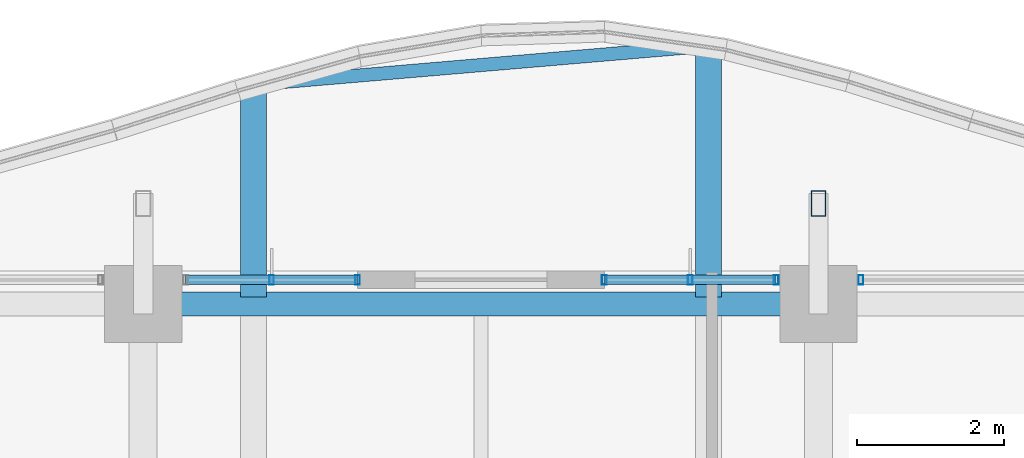
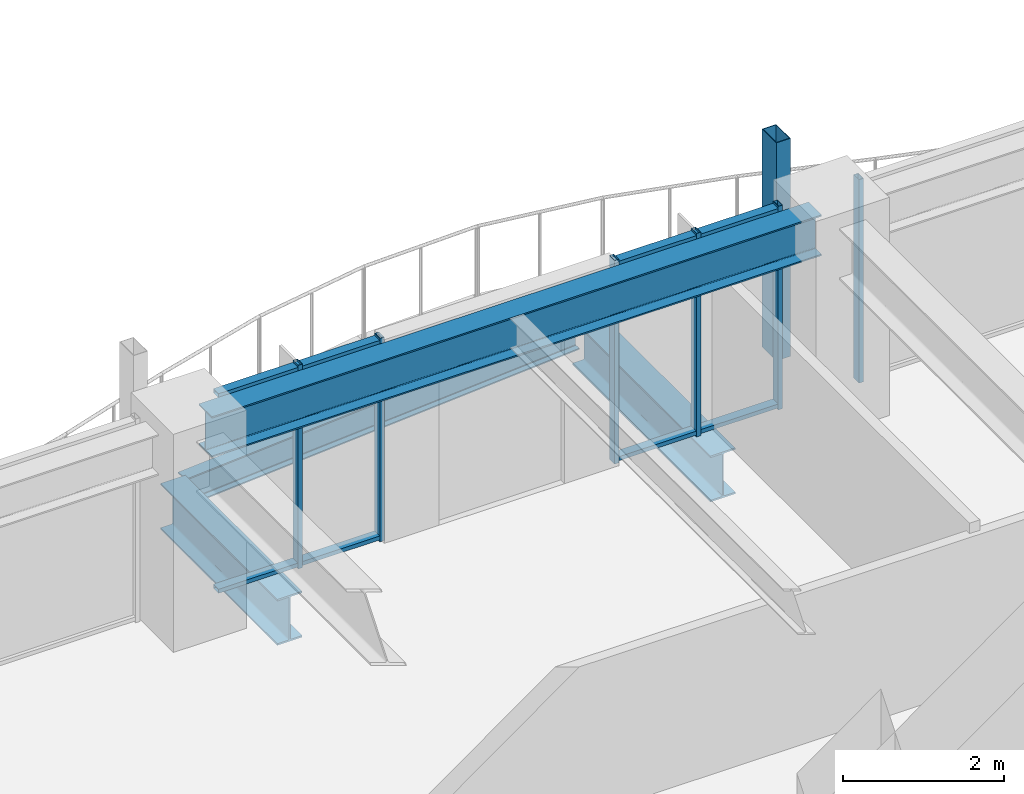
# One storey, part 17 of 31: 11 members, 4 beams, 3 elements without a shape of their own.
"""IFC4 building model written with IfcOpenShell, lengths in metres."""

from ifc_helpers import new_model, si_unit, direction, frame, origin, origin_2d, place, context, subcontext, project, spatial, hollow_rectangle, i_section, extrude, material, material_profile, profile_set, type_object, element, aggregate, save


model = new_model("IFC4")

# Units and contexts
model_context = context("Model", 3, precision=1e-05, world=origin(), true_north=direction((0.0, 1.0)))
body_context = subcontext(model_context, "Body", "Model", "MODEL_VIEW")
ifc_project = project(units=[si_unit("LENGTHUNIT", "METRE"), si_unit("AREAUNIT", "SQUARE_METRE"), si_unit("VOLUMEUNIT", "CUBIC_METRE"), si_unit("PLANEANGLEUNIT", "RADIAN"), si_unit("MASSUNIT", "GRAM", prefix="KILO")], contexts=[model_context])

# Site, building, storey
site_placement = place(None, origin())
site = spatial("IfcSite", under=ifc_project, at=site_placement, CompositionType="ELEMENT")
building_placement = place(site_placement, origin())
building = spatial("IfcBuilding", under=site, at=building_placement, Name="Kolvaren Belvedere", CompositionType="ELEMENT")
storey_placement = place(building_placement, frame((0.0, 0.0, 118.39990234375)))
storey = spatial("IfcBuildingStorey", under=building, at=storey_placement, Name="L34", CompositionType="ELEMENT", Elevation=118.39990234375)

# Beams
ifc_material_1 = material(Name="Structural steel ASTM A992 Grade 50", Category="steel")
ifc_material_profile_1 = material_profile(ifc_material_1, i_section(OverallWidth=0.35498046875, OverallDepth=0.696044921875, WebThickness=0.015380859375, FlangeThickness=0.02490234375, FilletRadius=0.02197265625, at=origin_2d()), Name="W27X146")
ifc_profile_set_1 = profile_set([ifc_material_profile_1], Name="Structural steel ASTM A992 Grade 50")
beam_type_1 = type_object("IfcBeamType", Name="BM-CANT-BAL", PredefinedType="BEAM", material=ifc_profile_set_1)
beam_1_placement = place(storey_placement, frame((-3.10009765625, 18.7451171875, -0.56787109375), z_axis=(0.0, 1.0, 0.0), x_axis=(-1.0, 0.0, 0.0)))
element("IfcBeam", 1, at=beam_1_placement, inside=storey, type_object=beam_type_1, Name="L34 Planted Balcony Cantilever BAL-N-1", PredefinedType="BEAM", context=body_context, shape_type="SweptSolid", body=[
    extrude(i_section(OverallWidth=0.35498046875, OverallDepth=0.696044921875, WebThickness=0.015380859375, FlangeThickness=0.02490234375, FilletRadius=0.02197265625, at=origin_2d()), origin(), (0.0, 0.0, 1.0), 2.896240234375),
])
beam_2_placement = place(storey_placement, frame((3.10009765625, 18.7451171875, -0.56787109375), z_axis=(0.0, 1.0, 0.0), x_axis=(-1.0, 0.0, 0.0)))
element("IfcBeam", 2, at=beam_2_placement, inside=storey, type_object=beam_type_1, Name="L34 Planted Balcony Cantilever BAL-N-2", PredefinedType="BEAM", context=body_context, shape_type="SweptSolid", body=[
    extrude(i_section(OverallWidth=0.35498046875, OverallDepth=0.696044921875, WebThickness=0.015380859375, FlangeThickness=0.02490234375, FilletRadius=0.02197265625, at=origin_2d()), origin(), (0.0, 0.0, 1.0), 3.42529296875),
])
ifc_material_2 = material(Name="Structural steel ASTM A992 Grade 50", Category="steel")
ifc_material_profile_2 = material_profile(ifc_material_2, i_section(OverallWidth=0.180908203125, OverallDepth=0.4169921875, WebThickness=0.010986328125, FlangeThickness=0.018310546875, FilletRadius=0.013916015625, at=origin_2d()), Name="W16X57")
ifc_profile_set_2 = profile_set([ifc_material_profile_2], Name="Structural steel ASTM A992 Grade 50")
beam_type_2 = type_object("IfcBeamType", Name="BM-EDGE-W16X57", PredefinedType="BEAM", material=ifc_profile_set_2)
beam_3_placement = place(storey_placement, frame((-2.96044921875, 21.6533203125, -0.428466796875), z_axis=(0.996377148781, 0.08504456119, 0.0), x_axis=(-0.08504456119, 0.996377148781, 0.0)))
element("IfcBeam", 3, at=beam_3_placement, inside=storey, type_object=beam_type_2, Name="L34 Balcony Tip Header Beam BAL-N", PredefinedType="BEAM", context=body_context, shape_type="SweptSolid", body=[
    extrude(i_section(OverallWidth=0.180908203125, OverallDepth=0.4169921875, WebThickness=0.010986328125, FlangeThickness=0.018310546875, FilletRadius=0.013916015625, at=origin_2d()), origin(), (0.0, 0.0, 1.0), 5.9423828125),
])
ifc_material_3 = material(Name="Structural steel ASTM A992 Grade 50", Category="steel")
ifc_material_profile_3 = material_profile(ifc_material_3, i_section(OverallWidth=0.324951171875, OverallDepth=0.615966796875, WebThickness=0.013916015625, FlangeThickness=0.021484375, FilletRadius=0.02001953125, at=origin_2d()), Name="W24X117")
ifc_profile_set_3 = profile_set([ifc_material_profile_3], Name="Structural steel ASTM A992 Grade 50")
beam_type_3 = type_object("IfcBeamType", Name="BM-SPAN-W24X117", PredefinedType="SPANDREL", material=ifc_profile_set_3)
beam_4_placement = place(storey_placement, frame((4.36376953125, 18.64990234375, 2.772216796875), z_axis=(-1.0, 0.0, 0.0), x_axis=(0.0, -1.0, 0.0)))
element("IfcBeam", 4, at=beam_4_placement, inside=storey, type_object=beam_type_3, Name="L34 Perimeter Spandrel N3-N2", PredefinedType="SPANDREL", context=body_context, shape_type="SweptSolid", body=[
    extrude(i_section(OverallWidth=0.324951171875, OverallDepth=0.615966796875, WebThickness=0.013916015625, FlangeThickness=0.021484375, FilletRadius=0.02001953125, at=origin_2d()), origin(), (0.0, 0.0, 1.0), 8.7275390625),
])

# Curtain wall, members
ifc_material_4 = material(Name="Anodised pale-metal aluminium AA 6063-T6", Category="aluminium")
curtain_wall_type = type_object("IfcCurtainWallType", Name="CW-Z3-WAIST", PredefinedType="NOTDEFINED", material=ifc_material_4)
curtain_wall_1_placement = place(storey_placement, origin())
curtain_wall_1 = element("IfcCurtainWall", 5, at=curtain_wall_1_placement, inside=storey, type_object=curtain_wall_type, Name="L34 Unitised Curtain Wall FCW-L34-N1-B2", PredefinedType="NOTDEFINED")
ifc_material_5 = material(Name="Anodised pale-metal aluminium AA 6063-T6", Category="aluminium")
ifc_material_profile_4 = material_profile(ifc_material_5, hollow_rectangle(XDim=0.06494140625, YDim=0.1298828125, WallThickness=0.00390625, at=origin_2d()), Name="ALU-MUL-130X65")
ifc_profile_set_4 = profile_set([ifc_material_profile_4], Name="Anodised pale-metal aluminium AA 6063-T6")
member_type_1 = type_object("IfcMemberType", Name="CW-MUL-130", PredefinedType="MULLION", material=ifc_profile_set_4)
member_1_placement = place(storey_placement, frame((-2.851318359375, 18.97998046875, 0.0), z_axis=(0.0, 0.0, 1.0), x_axis=(1.0, 0.0, 0.0)))
member_1 = element("IfcMember", 6, at=member_1_placement, type_object=member_type_1, Name="FCW-L34-N1-B2 Unitised Mullion 2", PredefinedType="MULLION", context=body_context, shape_type="SweptSolid", body=[
    extrude(hollow_rectangle(XDim=0.06494140625, YDim=0.1298828125, WallThickness=0.00390625, at=origin_2d()), origin(), (0.0, 0.0, 1.0), 3.080078125),
])
member_2_placement = place(storey_placement, frame((-1.679931640625, 18.97998046875, 0.0), z_axis=(0.0, 0.0, 1.0), x_axis=(1.0, 0.0, 0.0)))
member_2 = element("IfcMember", 7, at=member_2_placement, type_object=member_type_1, Name="FCW-L34-N1-B2 Unitised Mullion 3", PredefinedType="MULLION", context=body_context, shape_type="SweptSolid", body=[
    extrude(hollow_rectangle(XDim=0.06494140625, YDim=0.1298828125, WallThickness=0.00390625, at=origin_2d()), origin(), (0.0, 0.0, 1.0), 3.080078125),
])

curtain_wall_2_placement = place(storey_placement, origin())
curtain_wall_2 = element("IfcCurtainWall", 8, at=curtain_wall_2_placement, inside=storey, type_object=curtain_wall_type, Name="L34 Unitised Curtain Wall FCW-L34-N2-B1", PredefinedType="NOTDEFINED")
member_3_placement = place(storey_placement, frame((1.679931640625, 18.97998046875, 0.0), z_axis=(0.0, 0.0, 1.0), x_axis=(1.0, 0.0, 0.0)))
member_3 = element("IfcMember", 9, at=member_3_placement, type_object=member_type_1, Name="FCW-L34-N2-B1 Unitised Mullion 1", PredefinedType="MULLION", context=body_context, shape_type="SweptSolid", body=[
    extrude(hollow_rectangle(XDim=0.06494140625, YDim=0.1298828125, WallThickness=0.00390625, at=origin_2d()), origin(), (0.0, 0.0, 1.0), 3.080078125),
])
member_4_placement = place(storey_placement, frame((2.851318359375, 18.97998046875, 0.0), z_axis=(0.0, 0.0, 1.0), x_axis=(1.0, 0.0, 0.0)))
member_4 = element("IfcMember", 10, at=member_4_placement, type_object=member_type_1, Name="FCW-L34-N2-B1 Unitised Mullion 2", PredefinedType="MULLION", context=body_context, shape_type="SweptSolid", body=[
    extrude(hollow_rectangle(XDim=0.06494140625, YDim=0.1298828125, WallThickness=0.00390625, at=origin_2d()), origin(), (0.0, 0.0, 1.0), 3.080078125),
])
member_5_placement = place(storey_placement, frame((4.0224609375, 18.97998046875, 0.0), z_axis=(0.0, 0.0, 1.0), x_axis=(1.0, 0.0, 0.0)))
member_5 = element("IfcMember", 11, at=member_5_placement, type_object=member_type_1, Name="FCW-L34-N2-B1 Unitised Mullion 3", PredefinedType="MULLION", context=body_context, shape_type="SweptSolid", body=[
    extrude(hollow_rectangle(XDim=0.06494140625, YDim=0.1298828125, WallThickness=0.00390625, at=origin_2d()), origin(), (0.0, 0.0, 1.0), 3.080078125),
])

# Curtain wall, member
curtain_wall_3_placement = place(storey_placement, origin())
curtain_wall_3 = element("IfcCurtainWall", 12, at=curtain_wall_3_placement, inside=storey, type_object=curtain_wall_type, Name="L34 Unitised Curtain Wall FCW-L34-N2-B2", PredefinedType="NOTDEFINED")
member_6_placement = place(storey_placement, frame((5.177490234375, 18.97998046875, 0.0), z_axis=(0.0, 0.0, 1.0), x_axis=(1.0, 0.0, 0.0)))
member_6 = element("IfcMember", 13, at=member_6_placement, type_object=member_type_1, Name="FCW-L34-N2-B2 Unitised Mullion 1", PredefinedType="MULLION", context=body_context, shape_type="SweptSolid", body=[
    extrude(hollow_rectangle(XDim=0.06494140625, YDim=0.1298828125, WallThickness=0.00390625, at=origin_2d()), origin(), (0.0, 0.0, 1.0), 3.080078125),
])
aggregate(curtain_wall_3, [member_6])

# Member
ifc_material_6 = material(Name="Anodised pale-metal aluminium AA 6063-T6", Category="aluminium")
ifc_material_profile_5 = material_profile(ifc_material_6, hollow_rectangle(XDim=0.06005859375, YDim=0.1298828125, WallThickness=0.00390625, at=origin_2d()), Name="ALU-TRN-130X60")
ifc_profile_set_5 = profile_set([ifc_material_profile_5], Name="Anodised pale-metal aluminium AA 6063-T6")
member_type_2 = type_object("IfcMemberType", Name="CW-TRN-130", PredefinedType="USERDEFINED", material=ifc_profile_set_5)
member_7_placement = place(storey_placement, frame((-4.0224609375, 18.97998046875, 0.06005859375), z_axis=(1.0, 0.0, 0.0), x_axis=(0.0, 0.0, 1.0)))
member_7 = element("IfcMember", 14, at=member_7_placement, type_object=member_type_2, Name="FCW-L34-N1-B2 Sill Transom", ObjectType="TRANSOM", PredefinedType="USERDEFINED", context=body_context, shape_type="SweptSolid", body=[
    extrude(hollow_rectangle(XDim=0.06005859375, YDim=0.1298828125, WallThickness=0.00390625, at=origin_2d()), origin(), (0.0, 0.0, 1.0), 2.342529296875),
])

member_8_placement = place(storey_placement, frame((-4.0224609375, 18.97998046875, 3.02001953125), z_axis=(1.0, 0.0, 0.0), x_axis=(0.0, 0.0, 1.0)))
member_8 = element("IfcMember", 15, at=member_8_placement, type_object=member_type_2, Name="FCW-L34-N1-B2 Head Transom", ObjectType="TRANSOM", PredefinedType="USERDEFINED", context=body_context, shape_type="SweptSolid", body=[
    extrude(hollow_rectangle(XDim=0.06005859375, YDim=0.1298828125, WallThickness=0.00390625, at=origin_2d()), origin(), (0.0, 0.0, 1.0), 2.342529296875),
])

aggregate(curtain_wall_1, [member_1, member_2, member_7, member_8])

member_9_placement = place(storey_placement, frame((1.679931640625, 18.97998046875, 0.06005859375), z_axis=(1.0, 0.0, 0.0), x_axis=(0.0, 0.0, 1.0)))
member_9 = element("IfcMember", 16, at=member_9_placement, type_object=member_type_2, Name="FCW-L34-N2-B1 Sill Transom", ObjectType="TRANSOM", PredefinedType="USERDEFINED", context=body_context, shape_type="SweptSolid", body=[
    extrude(hollow_rectangle(XDim=0.06005859375, YDim=0.1298828125, WallThickness=0.00390625, at=origin_2d()), origin(), (0.0, 0.0, 1.0), 2.342529296875),
])

member_10_placement = place(storey_placement, frame((1.679931640625, 18.97998046875, 3.02001953125), z_axis=(1.0, 0.0, 0.0), x_axis=(0.0, 0.0, 1.0)))
member_10 = element("IfcMember", 17, at=member_10_placement, type_object=member_type_2, Name="FCW-L34-N2-B1 Head Transom", ObjectType="TRANSOM", PredefinedType="USERDEFINED", context=body_context, shape_type="SweptSolid", body=[
    extrude(hollow_rectangle(XDim=0.06005859375, YDim=0.1298828125, WallThickness=0.00390625, at=origin_2d()), origin(), (0.0, 0.0, 1.0), 2.342529296875),
])

aggregate(curtain_wall_2, [member_3, member_4, member_5, member_9, member_10])

ifc_material_7 = material(Name="Anodised pale-metal aluminium AA 6063-T6", Category="aluminium")
ifc_material_profile_6 = material_profile(ifc_material_7, hollow_rectangle(XDim=0.199951171875, YDim=0.35009765625, WallThickness=0.007568359375, at=origin_2d()), Name="ALU-PF-350X200")
ifc_profile_set_6 = profile_set([ifc_material_profile_6], Name="Anodised pale-metal aluminium AA 6063-T6")
member_type_3 = type_object("IfcMemberType", Name="PF-FRAME-350", PredefinedType="USERDEFINED", material=ifc_profile_set_6)
member_11_placement = place(storey_placement, frame((4.60009765625, 20.02001953125, 0.0), z_axis=(0.0, 0.0, 1.0), x_axis=(1.0, 0.0, 0.0)))
element("IfcMember", 18, at=member_11_placement, inside=storey, type_object=member_type_3, Name="L34 Outboard Picture-Frame Vertical N2", ObjectType="PICTURE FRAME FIN", PredefinedType="USERDEFINED", context=body_context, shape_type="SweptSolid", body=[
    extrude(hollow_rectangle(XDim=0.199951171875, YDim=0.35009765625, WallThickness=0.007568359375, at=origin_2d()), origin(), (0.0, 0.0, 1.0), 3.300048828125),
])

save(model, "model.ifc")
